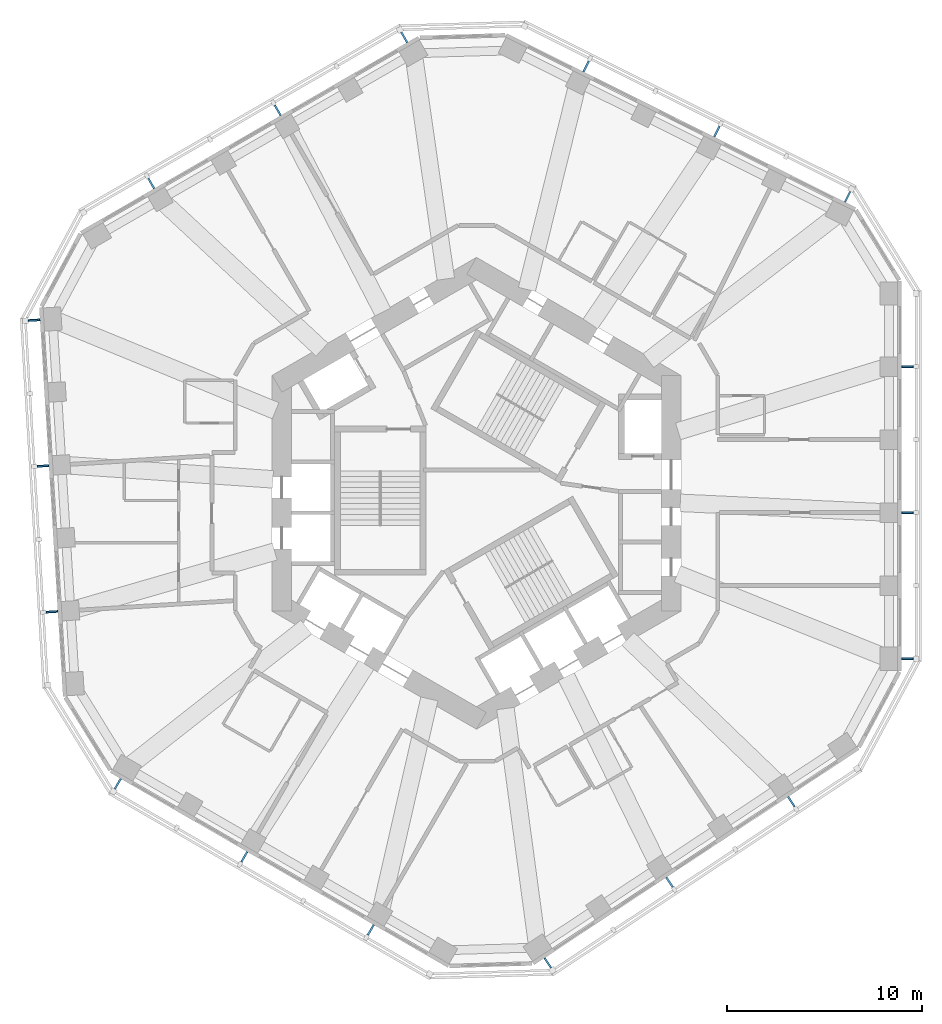
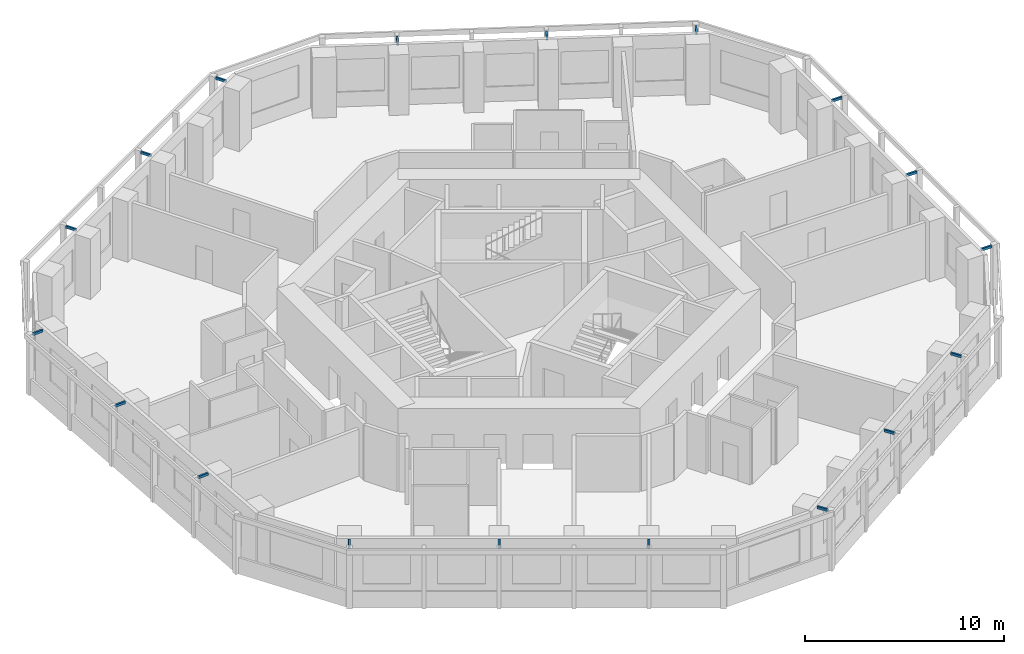
# One storey, part 10 of 11: 18 discrete accessories.
"""IFC4 building model written with IfcOpenShell, lengths in metres."""

from ifc_helpers import new_model, si_unit, direction, frame, origin, origin_2d, place, context, subcontext, project, spatial, rectangle, extrude, material, type_object, element, save


model = new_model("IFC4")

# Units and contexts
model_context = context("Model", 3, precision=1e-05, world=origin(), true_north=direction((0.0, 1.0)))
body_context = subcontext(model_context, "Body", "Model", "MODEL_VIEW")
ifc_project = project(units=[si_unit("LENGTHUNIT", "METRE"), si_unit("AREAUNIT", "SQUARE_METRE"), si_unit("VOLUMEUNIT", "CUBIC_METRE"), si_unit("PLANEANGLEUNIT", "RADIAN"), si_unit("MASSUNIT", "GRAM", prefix="KILO")], contexts=[model_context])

# Site, building, storey
site_placement = place(None, origin())
site = spatial("IfcSite", under=ifc_project, at=site_placement, CompositionType="ELEMENT")
building_placement = place(site_placement, origin())
building = spatial("IfcBuilding", under=site, at=building_placement, Name="Vanh Sen Convention Tower", CompositionType="ELEMENT")
storey_placement = place(building_placement, frame((0.0, 0.0, 176.199951171875)))
storey = spatial("IfcBuildingStorey", under=building, at=storey_placement, Name="L43", CompositionType="ELEMENT", Elevation=176.199951171875)

# Discrete accessories
ifc_material = material(Name="Steel S355", Category="steel")
discrete_accessory_type = type_object("IfcDiscreteAccessoryType", Name="Fin bracket 100 x 150", PredefinedType="BRACKET", material=ifc_material)
for number, where, z_axis, x_axis, name in (
    (1, (22.14990234375, -8.5009765625, 3.5), (0.0, 0.0, 1.0), (1.0, 0.0, 0.0), "Fin bracket E-1 L43"),
    (2, (22.14990234375, -0.992919921875, 3.5), (0.0, 0.0, 1.0), (1.0, 0.0, 0.0), "Fin bracket E-3 L43"),
    (3, (22.14990234375, 6.515380859375, 3.5), (0.0, 0.0, 1.0), (1.0, 0.0, 0.0), "Fin bracket E-5 L43"),
    (4, (19.073974609375, 15.240478515625, 3.5), (0.0, 0.0, 1.0), (0.44619781311, 0.894934361602, 0.0), "Fin bracket NE-1 L43"),
    (5, (12.3544921875, 18.5908203125, 3.5), (0.0, 0.0, 1.0), (0.44619781311, 0.894934361602, 0.0), "Fin bracket NE-3 L43"),
    (6, (5.635009765625, 21.94091796875, 3.5), (0.0, 0.0, 1.0), (0.44619781311, 0.894934361602, 0.0), "Fin bracket NE-5 L43"),
    (7, (-3.712890625, 23.432861328125, 3.5), (0.0, 0.0, 1.0), (-0.5, 0.866025403784, 0.0), "Fin bracket NW-1 L43"),
    (8, (-10.215087890625, 19.6787109375, 3.5), (0.0, 0.0, 1.0), (-0.5, 0.866025403784, 0.0), "Fin bracket NW-3 L43"),
    (9, (-16.717529296875, 15.9248046875, 3.5), (0.0, 0.0, 1.0), (-0.5, 0.866025403784, 0.0), "Fin bracket NW-5 L43"),
    (10, (-22.735595703125, 8.898193359375, 3.5), (0.0, 0.0, 1.0), (-0.998134798422, -0.061048539535, 0.0), "Fin bracket W-1 L43"),
    (11, (-22.277099609375, 1.40380859375, 3.5), (0.0, 0.0, 1.0), (-0.998134798422, -0.061048539535, 0.0), "Fin bracket W-3 L43"),
    (12, (-21.81884765625, -6.09033203125, 3.5), (0.0, 0.0, 1.0), (-0.998134798422, -0.061048539535, 0.0), "Fin bracket W-5 L43"),
    (13, (-18.43701171875, -14.931884765625, 3.5), (0.0, 0.0, 1.0), (-0.5, -0.866025403784, 0.0), "Fin bracket SW-1 L43"),
    (14, (-11.934814453125, -18.68603515625, 3.5), (0.0, 0.0, 1.0), (-0.5, -0.866025403784, 0.0), "Fin bracket SW-3 L43"),
    (15, (-5.4326171875, -22.440185546875, 3.5), (0.0, 0.0, 1.0), (-0.5, -0.866025403784, 0.0), "Fin bracket SW-5 L43"),
    (16, (3.66162109375, -24.138671875, 3.5), (0.0, 0.0, 1.0), (0.551936985312, -0.833885822067, 0.0), "Fin bracket SE-1 L43"),
    (17, (9.922607421875, -19.99462890625, 3.5), (0.0, 0.0, 1.0), (0.551936985312, -0.833885822067, 0.0), "Fin bracket SE-3 L43"),
    (18, (16.18359375, -15.8505859375, 3.5), (0.0, 0.0, 1.0), (0.551936985312, -0.833885822067, 0.0), "Fin bracket SE-5 L43"),
):
    element("IfcDiscreteAccessory", number, at=place(storey_placement, frame(where, z_axis=z_axis, x_axis=x_axis)), inside=storey, type_object=discrete_accessory_type, Name=name, PredefinedType="BRACKET", context=body_context, shape_type="SweptSolid", body=[
        extrude(rectangle(XDim=0.60009765625, YDim=0.10009765625, at=origin_2d()), origin(), (0.0, 0.0, 1.0), 0.14990234375),
    ])

save(model, "model.ifc")
